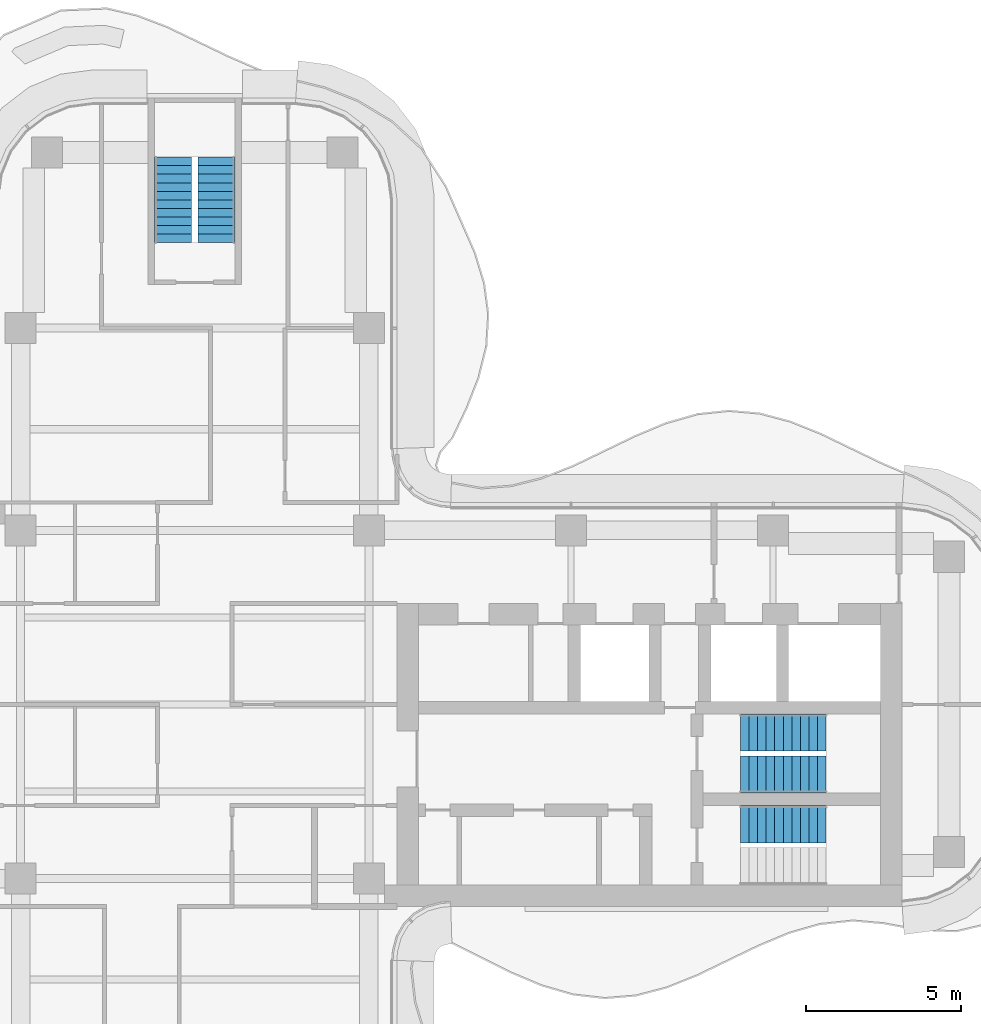
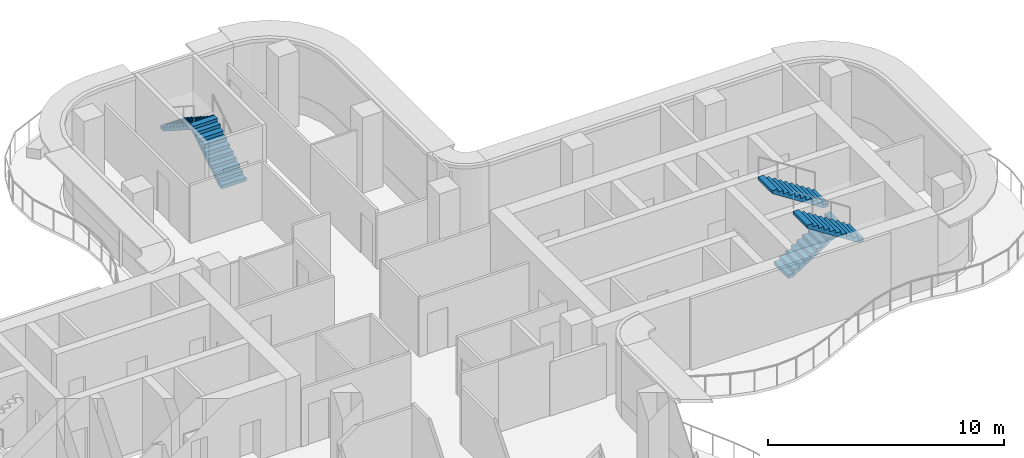
# One storey, part 14 of 16: 5 stair flights, 3 elements without a shape of their own.
"""IFC4 building model written with IfcOpenShell, lengths in metres."""

from ifc_helpers import new_model, si_unit, direction, frame, origin, place, context, subcontext, project, spatial, polyline, outline, extrude, source, transform, mapped, material, type_object, element, aggregate, save


model = new_model("IFC4")

# Units and contexts
model_context = context("Model", 3, precision=1e-05, world=origin(), true_north=direction((0.0, 1.0)))
body_context = subcontext(model_context, "Body", "Model", "MODEL_VIEW")
ifc_project = project(units=[si_unit("LENGTHUNIT", "METRE"), si_unit("AREAUNIT", "SQUARE_METRE"), si_unit("VOLUMEUNIT", "CUBIC_METRE"), si_unit("PLANEANGLEUNIT", "RADIAN"), si_unit("MASSUNIT", "GRAM", prefix="KILO")], contexts=[model_context])

# Site, building, storey
site_placement = place(None, origin())
site = spatial("IfcSite", under=ifc_project, at=site_placement, CompositionType="ELEMENT")
building_placement = place(site_placement, origin())
building = spatial("IfcBuilding", under=site, at=building_placement, Name="Trellis Farm Tower", CompositionType="ELEMENT")
storey_placement = place(building_placement, frame((0.0, 0.0, 322.300048828125)))
storey = spatial("IfcBuildingStorey", under=building, at=storey_placement, Name="L73", CompositionType="ELEMENT", Elevation=322.300048828125)

# Stair, stair flights
ifc_material = material(Name="Concrete C50/60", Category="concrete")
stair_type = type_object("IfcStairType", Name="CORE EXIT STAIR 22 RISERS 177 MM", PredefinedType="HALF_TURN_STAIR", material=ifc_material)
placement = place(storey_placement, origin())
stair_1 = element("IfcStair", 1, at=placement, inside=storey, type_object=stair_type, Name="Exit stair N", PredefinedType="HALF_TURN_STAIR")
stair_flight_type = type_object("IfcStairFlightType", Name="STAIR FLIGHT 11 RISERS 177 MM", PredefinedType="STRAIGHT", material=ifc_material)
shared_shape = source(origin(), body_context, "Body", "SweptSolid", [
    extrude(outline(polyline([(0.0, 0.0), (0.0, 0.17724609375), (0.27490234375, 0.17724609375), (0.27490234375, 0.3544921875), (0.550048828125, 0.3544921875), (0.550048828125, 0.53173828125), (0.824951171875, 0.53173828125), (0.824951171875, 0.708984375), (1.10009765625, 0.708984375), (1.10009765625, 0.886474609375), (1.375, 0.886474609375), (1.375, 1.063720703125), (1.64990234375, 1.063720703125), (1.64990234375, 1.240966796875), (1.925048828125, 1.240966796875), (1.925048828125, 1.418212890625), (2.199951171875, 1.418212890625), (2.199951171875, 1.595458984375), (2.47509765625, 1.595458984375), (2.47509765625, 1.772705078125), (2.75, 1.772705078125), (2.75, 1.949951171875), (2.75, 1.6181640625), (0.23974609375, 0.0), (0.0, 0.0)])), frame((0.0, 0.60009765625, 0.0), z_axis=(0.0, -1.0, 0.0), x_axis=(1.0, 0.0, 0.0)), (0.0, 0.0, 1.0), 1.199951171875),
])
stair_flight_1_placement = place(storey_placement, frame((0.699951171875, 14.85009765625, 0.0), z_axis=(0.0, 0.0, 1.0), x_axis=(0.0, 1.0, 0.0)))
stair_flight_1 = element("IfcStairFlight", 2, at=stair_flight_1_placement, type_object=stair_flight_type, Name="STN flight 1", NumberOfRisers=11, NumberOfTreads=10, PredefinedType="STRAIGHT", RiserHeight=0.177272727, TreadLength=0.275, context=body_context, shape_type="MappedRepresentation", body=[
    mapped(shared_shape, transform((0.0, 0.0, 0.0))),
])
stair_flight_2_placement = place(storey_placement, frame((-0.699951171875, 17.60009765625, 1.949951171875), z_axis=(0.0, 0.0, 1.0), x_axis=(0.0, -1.0, 0.0)))
stair_flight_2 = element("IfcStairFlight", 3, at=stair_flight_2_placement, type_object=stair_flight_type, Name="STN flight 2", NumberOfRisers=11, NumberOfTreads=10, PredefinedType="STRAIGHT", RiserHeight=0.177272727, TreadLength=0.275, context=body_context, shape_type="MappedRepresentation", body=[
    mapped(shared_shape, transform((0.0, 0.0, 0.0))),
])
aggregate(stair_1, [stair_flight_1, stair_flight_2])

# Stair, stair flight
stair_2 = element("IfcStair", 4, at=placement, inside=storey, type_object=stair_type, Name="Exit stair E1", PredefinedType="HALF_TURN_STAIR")
stair_flight_3_placement = place(storey_placement, frame((20.300048828125, -3.85009765625, 1.949951171875), z_axis=(0.0, 0.0, 1.0), x_axis=(-1.0, 0.0, 0.0)))
stair_flight_3 = element("IfcStairFlight", 5, at=stair_flight_3_placement, type_object=stair_flight_type, Name="STE1 flight 2", NumberOfRisers=11, NumberOfTreads=10, PredefinedType="STRAIGHT", RiserHeight=0.177272727, TreadLength=0.275, context=body_context, shape_type="MappedRepresentation", body=[
    mapped(shared_shape, transform((0.0, 0.0, 0.0))),
])
aggregate(stair_2, [stair_flight_3])

# Stair, stair flights
stair_3 = element("IfcStair", 6, at=placement, inside=storey, type_object=stair_type, Name="Exit stair E2", PredefinedType="HALF_TURN_STAIR")
stair_flight_4_placement = place(storey_placement, frame((17.550048828125, -2.25, 0.0), z_axis=(0.0, 0.0, 1.0), x_axis=(1.0, 0.0, 0.0)))
stair_flight_4 = element("IfcStairFlight", 7, at=stair_flight_4_placement, type_object=stair_flight_type, Name="STE2 flight 1", NumberOfRisers=11, NumberOfTreads=10, PredefinedType="STRAIGHT", RiserHeight=0.177272727, TreadLength=0.275, context=body_context, shape_type="MappedRepresentation", body=[
    mapped(shared_shape, transform((0.0, 0.0, 0.0))),
])
stair_flight_5_placement = place(storey_placement, frame((20.300048828125, -0.89990234375, 1.949951171875), z_axis=(0.0, 0.0, 1.0), x_axis=(-1.0, 0.0, 0.0)))
stair_flight_5 = element("IfcStairFlight", 8, at=stair_flight_5_placement, type_object=stair_flight_type, Name="STE2 flight 2", NumberOfRisers=11, NumberOfTreads=10, PredefinedType="STRAIGHT", RiserHeight=0.177272727, TreadLength=0.275, context=body_context, shape_type="MappedRepresentation", body=[
    mapped(shared_shape, transform((0.0, 0.0, 0.0))),
])
aggregate(stair_3, [stair_flight_4, stair_flight_5])

save(model, "model.ifc")
